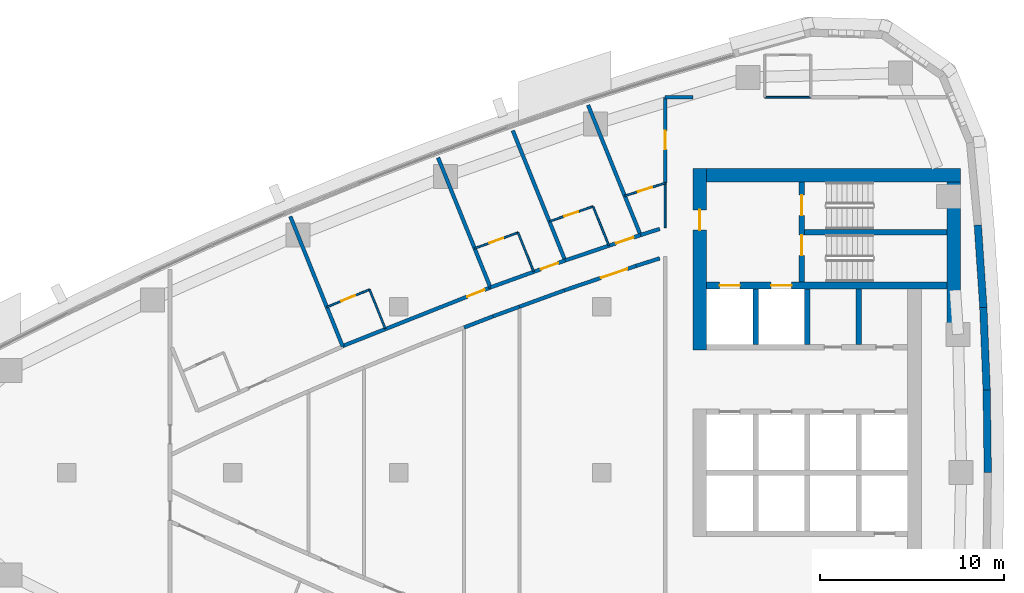
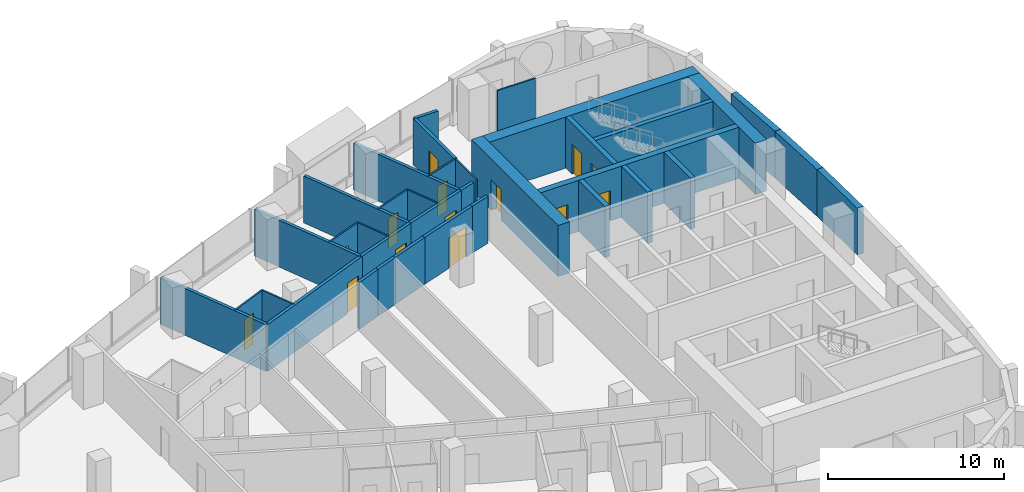
# One storey, part 12 of 17: 36 walls, 14 doors, 14 openings.
"""IFC4 building model written with IfcOpenShell, lengths in metres."""

from ifc_helpers import new_model, si_unit, direction, frame, frame_2d, origin, place, context, subcontext, project, spatial, polyline, rectangle, outline, extrude, material, layer, layer_set, type_object, element, fill, save


model = new_model("IFC4")

# Units and contexts
model_context = context("Model", 3, precision=1e-05, world=origin(), true_north=direction((0.0, 1.0)))
body_context = subcontext(model_context, "Body", "Model", "MODEL_VIEW")
ifc_project = project(units=[si_unit("LENGTHUNIT", "METRE"), si_unit("AREAUNIT", "SQUARE_METRE"), si_unit("VOLUMEUNIT", "CUBIC_METRE"), si_unit("PLANEANGLEUNIT", "RADIAN"), si_unit("MASSUNIT", "GRAM", prefix="KILO")], contexts=[model_context])

# Site, building, storey
site_placement = place(None, origin())
site = spatial("IfcSite", under=ifc_project, at=site_placement, CompositionType="ELEMENT")
building_placement = place(site_placement, origin())
building = spatial("IfcBuilding", under=site, at=building_placement, Name="Ostrand Prow Hotel Tower", CompositionType="ELEMENT")
storey_placement = place(building_placement, frame((0.0, 0.0, 179.050048828125)))
storey = spatial("IfcBuildingStorey", under=building, at=storey_placement, Name="L44", CompositionType="ELEMENT", Elevation=179.050048828125)

# Walls
ifc_material_1 = material(Name="Concrete C60/75", Category="concrete")
ifc_layer_1 = layer(ifc_material_1, 0.300048828125)
ifc_layer_set_1 = layer_set([ifc_layer_1], Name="Concrete C60/75")
wall_type_1 = type_object("IfcWallType", Name="Core wall 300 C60/75", PredefinedType="SHEAR", material=ifc_layer_set_1)
for number, where, z_axis, x_axis, name in (
    (1, (53.35009765625, 6.949951171875, 0.0), (0.0, 0.0, 1.0), (0.0, 1.0, 0.0), "Core wall PW-R1-NA"),
    (2, (56.14990234375, 6.949951171875, 0.0), (0.0, 0.0, 1.0), (0.0, 1.0, 0.0), "Core wall PW-R2-NA"),
    (3, (58.949951171875, 6.949951171875, 0.0), (0.0, 0.0, 1.0), (0.0, 1.0, 0.0), "Core wall PW-R3-NA"),
):
    element("IfcWall", number, at=place(storey_placement, frame(where, z_axis=z_axis, x_axis=x_axis)), inside=storey, type_object=wall_type_1, Name=name, PredefinedType="SHEAR", context=body_context, shape_type="SweptSolid", body=[
        extrude(rectangle(XDim=3.0, YDim=0.300048828125, at=frame_2d((1.5, 0.0))), origin(), (0.0, 0.0, 1.0), 3.550048828125),
    ])

# Wall, openings, doors
wall_1_placement = place(storey_placement, frame((55.85009765625, 10.35009765625, 0.0), z_axis=(0.0, 0.0, 1.0), x_axis=(0.0, 1.0, 0.0)))
wall_1 = element("IfcWall", 4, at=wall_1_placement, inside=storey, type_object=wall_type_1, Name="Core wall PW-VN", PredefinedType="SHEAR", context=body_context, shape_type="SweptSolid", body=[
    extrude(rectangle(XDim=5.39990234375, YDim=0.300048828125, at=frame_2d((2.699951171875, 0.0))), origin(), (0.0, 0.0, 1.0), 3.550048828125),
])
opening_1_placement = place(wall_1_placement, frame((1.429931640625, 0.0, 0.0)))
opening_1 = element("IfcOpeningElement", 5, at=opening_1_placement, cuts=wall_1, Name="Opening FD1", PredefinedType="OPENING", context=body_context, shape_type="SweptSolid", body=[
    extrude(rectangle(XDim=1.10009765625, YDim=2.10009765625, at=frame_2d((0.550048828125, 1.050048828125))), frame((0.0, 0.159912109375, 0.0), z_axis=(0.0, -1.0, 0.0), x_axis=(1.0, 0.0, 0.0)), (0.0, 0.0, 1.0), 0.320068359375),
])
opening_2_placement = place(wall_1_placement, frame((3.60009765625, 0.0, 0.0)))
opening_2 = element("IfcOpeningElement", 6, at=opening_2_placement, cuts=wall_1, Name="Opening FD1", PredefinedType="OPENING", context=body_context, shape_type="SweptSolid", body=[
    extrude(rectangle(XDim=1.10009765625, YDim=2.10009765625, at=frame_2d((0.550048828125, 1.050048828125))), frame((0.0, 0.159912109375, 0.0), z_axis=(0.0, -1.0, 0.0), x_axis=(1.0, 0.0, 0.0)), (0.0, 0.0, 1.0), 0.320068359375),
])
ifc_material_2 = material(Name="Steel fire door", Category="steel")
door_type_1 = type_object("IfcDoorType", Name="Fire door 1100 EI120", OperationType="SINGLE_SWING_RIGHT", PredefinedType="DOOR", material=ifc_material_2)
door_1_placement = place(opening_1_placement, origin())
door_1 = element("IfcDoor", 7, at=door_1_placement, inside=storey, type_object=door_type_1, Name="FIRE DOOR", OperationType="SINGLE_SWING_RIGHT", OverallHeight=2.10009765625, OverallWidth=1.10009765625, PredefinedType="DOOR", context=body_context, shape_type="SweptSolid", body=[
    extrude(rectangle(XDim=1.10009765625, YDim=2.10009765625, at=frame_2d((0.550048828125, 1.050048828125))), frame((0.0, 0.02490234375, 0.0), z_axis=(0.0, -1.0, 0.0), x_axis=(1.0, 0.0, 0.0)), (0.0, 0.0, 1.0), 0.050048828125),
])
fill(opening_1, door_1)
door_2_placement = place(opening_2_placement, origin())
door_2 = element("IfcDoor", 8, at=door_2_placement, inside=storey, type_object=door_type_1, Name="FIRE DOOR", OperationType="SINGLE_SWING_RIGHT", OverallHeight=2.10009765625, OverallWidth=1.10009765625, PredefinedType="DOOR", context=body_context, shape_type="SweptSolid", body=[
    extrude(rectangle(XDim=1.10009765625, YDim=2.10009765625, at=frame_2d((0.550048828125, 1.050048828125))), frame((0.0, 0.02490234375, 0.0), z_axis=(0.0, -1.0, 0.0), x_axis=(1.0, 0.0, 0.0)), (0.0, 0.0, 1.0), 0.050048828125),
])
fill(opening_2, door_2)

# Wall
wall_2_placement = place(storey_placement, frame((56.0, 13.050048828125, 0.0), z_axis=(0.0, 0.0, 1.0), x_axis=(1.0, 0.0, 0.0)))
element("IfcWall", 9, at=wall_2_placement, inside=storey, type_object=wall_type_1, Name="Core wall PW-ST13", PredefinedType="SHEAR", context=body_context, shape_type="SweptSolid", body=[
    extrude(rectangle(XDim=7.719970703125, YDim=0.300048828125, at=frame_2d((3.85986328125, 0.0))), origin(), (0.0, 0.0, 1.0), 3.550048828125),
])

# Wall, openings, doors
ifc_material_3 = material(Name="Concrete C60/75", Category="concrete")
ifc_layer_2 = layer(ifc_material_3, 0.39990234375)
ifc_layer_set_2 = layer_set([ifc_layer_2], Name="Concrete C60/75")
wall_type_2 = type_object("IfcWallType", Name="Core wall 400 C60/75", PredefinedType="SHEAR", material=ifc_layer_set_2)
wall_3_placement = place(storey_placement, frame((50.699951171875, 10.14990234375, 0.0), z_axis=(0.0, 0.0, 1.0), x_axis=(1.0, 0.0, 0.0)))
wall_3 = element("IfcWall", 10, at=wall_3_placement, inside=storey, type_object=wall_type_2, Name="Core wall PW-BN", PredefinedType="SHEAR", context=body_context, shape_type="SweptSolid", body=[
    extrude(rectangle(XDim=13.02001953125, YDim=0.39990234375, at=frame_2d((6.510009765625, 0.0))), origin(), (0.0, 0.0, 1.0), 3.550048828125),
])
opening_3_placement = place(wall_3_placement, frame((0.699951171875, 0.0, 0.0)))
opening_3 = element("IfcOpeningElement", 11, at=opening_3_placement, cuts=wall_3, Name="Opening LD", PredefinedType="OPENING", context=body_context, shape_type="SweptSolid", body=[
    extrude(rectangle(XDim=1.10009765625, YDim=2.10009765625, at=frame_2d((0.550048828125, 1.050048828125))), frame((0.0, 0.2099609375, 0.0), z_axis=(0.0, -1.0, 0.0), x_axis=(1.0, 0.0, 0.0)), (0.0, 0.0, 1.0), 0.419921875),
])
opening_4_placement = place(wall_3_placement, frame((3.5, 0.0, 0.0)))
opening_4 = element("IfcOpeningElement", 12, at=opening_4_placement, cuts=wall_3, Name="Opening LD", PredefinedType="OPENING", context=body_context, shape_type="SweptSolid", body=[
    extrude(rectangle(XDim=1.10009765625, YDim=2.10009765625, at=frame_2d((0.550048828125, 1.050048828125))), frame((0.0, 0.2099609375, 0.0), z_axis=(0.0, -1.0, 0.0), x_axis=(1.0, 0.0, 0.0)), (0.0, 0.0, 1.0), 0.419921875),
])
ifc_material_4 = material(Name="Stainless steel door", Category="steel")
door_type_2 = type_object("IfcDoorType", Name="Lift landing door 1100", OperationType="DOUBLE_DOOR_SLIDING", PredefinedType="DOOR", material=ifc_material_4)
door_3_placement = place(opening_3_placement, origin())
door_3 = element("IfcDoor", 13, at=door_3_placement, inside=storey, type_object=door_type_2, Name="LIFT LANDING DOOR", OperationType="DOUBLE_DOOR_SLIDING", OverallHeight=2.10009765625, OverallWidth=1.10009765625, PredefinedType="DOOR", context=body_context, shape_type="SweptSolid", body=[
    extrude(rectangle(XDim=1.10009765625, YDim=2.10009765625, at=frame_2d((0.550048828125, 1.050048828125))), frame((0.0, 0.02490234375, 0.0), z_axis=(0.0, -1.0, 0.0), x_axis=(1.0, 0.0, 0.0)), (0.0, 0.0, 1.0), 0.050048828125),
])
fill(opening_3, door_3)
door_4_placement = place(opening_4_placement, origin())
door_4 = element("IfcDoor", 14, at=door_4_placement, inside=storey, type_object=door_type_2, Name="LIFT LANDING DOOR", OperationType="DOUBLE_DOOR_SLIDING", OverallHeight=2.10009765625, OverallWidth=1.10009765625, PredefinedType="DOOR", context=body_context, shape_type="SweptSolid", body=[
    extrude(rectangle(XDim=1.10009765625, YDim=2.10009765625, at=frame_2d((0.550048828125, 1.050048828125))), frame((0.0, 0.02490234375, 0.0), z_axis=(0.0, -1.0, 0.0), x_axis=(1.0, 0.0, 0.0)), (0.0, 0.0, 1.0), 0.050048828125),
])
fill(opening_4, door_4)

# Wall, opening, door
ifc_material_5 = material(Name="Concrete C60/75", Category="concrete")
ifc_layer_3 = layer(ifc_material_5, 0.75)
ifc_layer_set_3 = layer_set([ifc_layer_3], Name="Concrete C60/75")
wall_type_3 = type_object("IfcWallType", Name="Core wall 750 C60/75", PredefinedType="SHEAR", material=ifc_layer_set_3)
wall_4_placement = place(storey_placement, frame((50.324951171875, 6.64990234375, 0.0), z_axis=(0.0, 0.0, 1.0), x_axis=(0.0, 1.0, 0.0)))
wall_4 = element("IfcWall", 15, at=wall_4_placement, inside=storey, type_object=wall_type_3, Name="Core wall CW-W-N", PredefinedType="SHEAR", context=body_context, shape_type="SweptSolid", body=[
    extrude(rectangle(XDim=9.85009765625, YDim=0.75, at=frame_2d((4.925048828125, 0.0))), origin(), (0.0, 0.0, 1.0), 3.550048828125),
])
opening_5_placement = place(wall_4_placement, frame((6.5, 0.0, 0.0)))
opening_5 = element("IfcOpeningElement", 16, at=opening_5_placement, cuts=wall_4, Name="Opening FD1", PredefinedType="OPENING", context=body_context, shape_type="SweptSolid", body=[
    extrude(rectangle(XDim=1.10009765625, YDim=2.10009765625, at=frame_2d((0.550048828125, 1.050048828125))), frame((0.0, 0.385009765625, 0.0), z_axis=(0.0, -1.0, 0.0), x_axis=(1.0, 0.0, 0.0)), (0.0, 0.0, 1.0), 0.77001953125),
])
door_5_placement = place(opening_5_placement, origin())
door_5 = element("IfcDoor", 17, at=door_5_placement, inside=storey, type_object=door_type_1, Name="FIRE DOOR", OperationType="SINGLE_SWING_RIGHT", OverallHeight=2.10009765625, OverallWidth=1.10009765625, PredefinedType="DOOR", context=body_context, shape_type="SweptSolid", body=[
    extrude(rectangle(XDim=1.10009765625, YDim=2.10009765625, at=frame_2d((0.550048828125, 1.050048828125))), frame((0.0, 0.02490234375, 0.0), z_axis=(0.0, -1.0, 0.0), x_axis=(1.0, 0.0, 0.0)), (0.0, 0.0, 1.0), 0.050048828125),
])
fill(opening_5, door_5)

# Walls
wall_5_placement = place(storey_placement, frame((50.699951171875, 16.125, 0.0), z_axis=(0.0, 0.0, 1.0), x_axis=(1.0, 0.0, 0.0)))
element("IfcWall", 18, at=wall_5_placement, inside=storey, type_object=wall_type_3, Name="Core wall CW-N", PredefinedType="SHEAR", context=body_context, shape_type="SweptSolid", body=[
    extrude(rectangle(XDim=13.77001953125, YDim=0.75, at=frame_2d((6.885009765625, 0.0))), origin(), (0.0, 0.0, 1.0), 3.550048828125),
])
wall_6_placement = place(storey_placement, frame((64.094970703125, 8.09912109375, 0.0), z_axis=(0.0, 0.0, 1.0), x_axis=(0.0, 1.0, 0.0)))
element("IfcWall", 19, at=wall_6_placement, inside=storey, type_object=wall_type_3, Name="Core wall CW-E-N", PredefinedType="SHEAR", context=body_context, shape_type="SweptSolid", body=[
    extrude(rectangle(XDim=7.65087890625, YDim=0.75, at=frame_2d((3.825439453125, 0.0))), origin(), (0.0, 0.0, 1.0), 3.550048828125),
])

# Wall, opening, door
ifc_material_6 = material(Name="Plasterboard partition")
ifc_layer_4 = layer(ifc_material_6, 0.10009765625)
ifc_layer_set_4 = layer_set([ifc_layer_4], Name="Plasterboard partition")
wall_type_4 = type_object("IfcWallType", Name="Partition 100 bathroom wall", PredefinedType="PARTITIONING", material=ifc_layer_set_4)
wall_7_placement = place(storey_placement, frame((30.10546875, 8.98095703125, 0.0), z_axis=(0.0, 0.0, 1.0), x_axis=(0.92519499486, 0.379492057212, 0.0)))
wall_7 = element("IfcWall", 20, at=wall_7_placement, inside=storey, type_object=wall_type_4, Name="BATHROOM WALL", PredefinedType="PARTITIONING", context=body_context, shape_type="SweptSolid", body=[
    extrude(rectangle(XDim=2.5, YDim=0.10009765625, at=frame_2d((1.25, 0.0))), origin(), (0.0, 0.0, 1.0), 3.25),
])
opening_6_placement = place(wall_7_placement, frame((0.85009765625, 0.0, 0.0)))
opening_6 = element("IfcOpeningElement", 21, at=opening_6_placement, cuts=wall_7, Name="Opening D2", PredefinedType="OPENING", context=body_context, shape_type="SweptSolid", body=[
    extrude(rectangle(XDim=0.800048828125, YDim=2.10009765625, at=frame_2d((0.39990234375, 1.050048828125))), frame((0.0, 0.06005859375, 0.0), z_axis=(0.0, -1.0, 0.0), x_axis=(1.0, 0.0, 0.0)), (0.0, 0.0, 1.0), 0.1201171875),
])
ifc_material_7 = material(Name="Timber door leaf", Category="wood")
door_type_3 = type_object("IfcDoorType", Name="Bathroom door 800", OperationType="SINGLE_SWING_LEFT", PredefinedType="DOOR", material=ifc_material_7)
door_6_placement = place(opening_6_placement, origin())
door_6 = element("IfcDoor", 22, at=door_6_placement, inside=storey, type_object=door_type_3, Name="DOOR", OperationType="SINGLE_SWING_LEFT", OverallHeight=2.10009765625, OverallWidth=0.800048828125, PredefinedType="DOOR", context=body_context, shape_type="SweptSolid", body=[
    extrude(rectangle(XDim=0.800048828125, YDim=2.10009765625, at=frame_2d((0.39990234375, 1.050048828125))), frame((0.0, 0.02490234375, 0.0), z_axis=(0.0, -1.0, 0.0), x_axis=(1.0, 0.0, 0.0)), (0.0, 0.0, 1.0), 0.050048828125),
])
fill(opening_6, door_6)

# Wall
wall_8_placement = place(storey_placement, frame((32.41845703125, 9.9296875, 0.0), z_axis=(0.0, 0.0, 1.0), x_axis=(0.373847853912, -0.927490044219, 0.0)))
element("IfcWall", 23, at=wall_8_placement, inside=storey, type_object=wall_type_4, Name="BATHROOM WALL", PredefinedType="PARTITIONING", context=body_context, shape_type="SweptSolid", body=[
    extrude(rectangle(XDim=2.277099609375, YDim=0.10009765625, at=frame_2d((1.138671875, 0.0))), origin(), (0.0, 0.0, 1.0), 3.25),
])

# Wall, opening, door
wall_9_placement = place(storey_placement, frame((38.119384765625, 12.160888671875, 0.0), z_axis=(0.0, 0.0, 1.0), x_axis=(0.939744972593, 0.341876273652, 0.0)))
wall_9 = element("IfcWall", 24, at=wall_9_placement, inside=storey, type_object=wall_type_4, Name="BATHROOM WALL", PredefinedType="PARTITIONING", context=body_context, shape_type="SweptSolid", body=[
    extrude(rectangle(XDim=2.50146484375, YDim=0.10009765625, at=frame_2d((1.250732421875, 0.0))), origin(), (0.0, 0.0, 1.0), 3.25),
])
opening_7_placement = place(wall_9_placement, frame((0.85009765625, 0.0, 0.0)))
opening_7 = element("IfcOpeningElement", 25, at=opening_7_placement, cuts=wall_9, Name="Opening D2", PredefinedType="OPENING", context=body_context, shape_type="SweptSolid", body=[
    extrude(rectangle(XDim=0.800048828125, YDim=2.10009765625, at=frame_2d((0.39990234375, 1.050048828125))), frame((0.0, 0.06005859375, 0.0), z_axis=(0.0, -1.0, 0.0), x_axis=(1.0, 0.0, 0.0)), (0.0, 0.0, 1.0), 0.1201171875),
])
door_7_placement = place(opening_7_placement, origin())
door_7 = element("IfcDoor", 26, at=door_7_placement, inside=storey, type_object=door_type_3, Name="DOOR", OperationType="SINGLE_SWING_LEFT", OverallHeight=2.10009765625, OverallWidth=0.800048828125, PredefinedType="DOOR", context=body_context, shape_type="SweptSolid", body=[
    extrude(rectangle(XDim=0.800048828125, YDim=2.10009765625, at=frame_2d((0.39990234375, 1.050048828125))), frame((0.0, 0.02490234375, 0.0), z_axis=(0.0, -1.0, 0.0), x_axis=(1.0, 0.0, 0.0)), (0.0, 0.0, 1.0), 0.050048828125),
])
fill(opening_7, door_7)

# Wall
wall_10_placement = place(storey_placement, frame((40.47021484375, 13.01611328125, 0.0), z_axis=(0.0, 0.0, 1.0), x_axis=(0.373846436826, -0.927490615409, 0.0)))
element("IfcWall", 27, at=wall_10_placement, inside=storey, type_object=wall_type_4, Name="BATHROOM WALL", PredefinedType="PARTITIONING", context=body_context, shape_type="SweptSolid", body=[
    extrude(rectangle(XDim=2.278564453125, YDim=0.10009765625, at=frame_2d((1.13916015625, 0.0))), origin(), (0.0, 0.0, 1.0), 3.25),
])

# Wall, opening, door
wall_11_placement = place(storey_placement, frame((42.17236328125, 13.625, 0.0), z_axis=(0.0, 0.0, 1.0), x_axis=(0.946406575113, 0.322977699822, 0.0)))
wall_11 = element("IfcWall", 28, at=wall_11_placement, inside=storey, type_object=wall_type_4, Name="BATHROOM WALL", PredefinedType="PARTITIONING", context=body_context, shape_type="SweptSolid", body=[
    extrude(rectangle(XDim=2.503662109375, YDim=0.10009765625, at=frame_2d((1.251953125, 0.0))), origin(), (0.0, 0.0, 1.0), 3.25),
])
opening_8_placement = place(wall_11_placement, frame((0.85009765625, 0.0, 0.0)))
opening_8 = element("IfcOpeningElement", 29, at=opening_8_placement, cuts=wall_11, Name="Opening D2", PredefinedType="OPENING", context=body_context, shape_type="SweptSolid", body=[
    extrude(rectangle(XDim=0.800048828125, YDim=2.10009765625, at=frame_2d((0.39990234375, 1.050048828125))), frame((0.0, 0.06005859375, 0.0), z_axis=(0.0, -1.0, 0.0), x_axis=(1.0, 0.0, 0.0)), (0.0, 0.0, 1.0), 0.1201171875),
])
door_8_placement = place(opening_8_placement, origin())
door_8 = element("IfcDoor", 30, at=door_8_placement, inside=storey, type_object=door_type_3, Name="DOOR", OperationType="SINGLE_SWING_LEFT", OverallHeight=2.10009765625, OverallWidth=0.800048828125, PredefinedType="DOOR", context=body_context, shape_type="SweptSolid", body=[
    extrude(rectangle(XDim=0.800048828125, YDim=2.10009765625, at=frame_2d((0.39990234375, 1.050048828125))), frame((0.0, 0.02490234375, 0.0), z_axis=(0.0, -1.0, 0.0), x_axis=(1.0, 0.0, 0.0)), (0.0, 0.0, 1.0), 0.050048828125),
])
fill(opening_8, door_8)

# Wall
wall_12_placement = place(storey_placement, frame((44.541748046875, 14.43359375, 0.0), z_axis=(0.0, 0.0, 1.0), x_axis=(0.373917841166, -0.927461831052, 0.0)))
element("IfcWall", 31, at=wall_12_placement, inside=storey, type_object=wall_type_4, Name="BATHROOM WALL", PredefinedType="PARTITIONING", context=body_context, shape_type="SweptSolid", body=[
    extrude(rectangle(XDim=2.28076171875, YDim=0.10009765625, at=frame_2d((1.140380859375, 0.0))), origin(), (0.0, 0.0, 1.0), 3.25),
])

# Wall, opening, door
wall_13_placement = place(storey_placement, frame((46.258544921875, 15.006591796875, 0.0), z_axis=(0.0, 0.0, 1.0), x_axis=(0.952731222045, 0.303814447552, 0.0)))
wall_13 = element("IfcWall", 32, at=wall_13_placement, inside=storey, type_object=wall_type_4, Name="BATHROOM WALL", PredefinedType="PARTITIONING", context=body_context, shape_type="SweptSolid", body=[
    extrude(rectangle(XDim=2.276611328125, YDim=0.10009765625, at=frame_2d((1.13818359375, 0.0))), origin(), (0.0, 0.0, 1.0), 3.25),
])
opening_9_placement = place(wall_13_placement, frame((0.75, 0.0, 0.0)))
opening_9 = element("IfcOpeningElement", 33, at=opening_9_placement, cuts=wall_13, Name="Opening D2", PredefinedType="OPENING", context=body_context, shape_type="SweptSolid", body=[
    extrude(rectangle(XDim=0.800048828125, YDim=2.10009765625, at=frame_2d((0.39990234375, 1.050048828125))), frame((0.0, 0.06005859375, 0.0), z_axis=(0.0, -1.0, 0.0), x_axis=(1.0, 0.0, 0.0)), (0.0, 0.0, 1.0), 0.1201171875),
])
door_9_placement = place(opening_9_placement, origin())
door_9 = element("IfcDoor", 34, at=door_9_placement, inside=storey, type_object=door_type_3, Name="DOOR", OperationType="SINGLE_SWING_LEFT", OverallHeight=2.10009765625, OverallWidth=0.800048828125, PredefinedType="DOOR", context=body_context, shape_type="SweptSolid", body=[
    extrude(rectangle(XDim=0.800048828125, YDim=2.10009765625, at=frame_2d((0.39990234375, 1.050048828125))), frame((0.0, 0.02490234375, 0.0), z_axis=(0.0, -1.0, 0.0), x_axis=(1.0, 0.0, 0.0)), (0.0, 0.0, 1.0), 0.050048828125),
])
fill(opening_9, door_9)

# Walls
wall_14_placement = place(storey_placement, frame((56.35009765625, 20.35498046875, 0.0), z_axis=(0.0, 0.0, 1.0), x_axis=(-1.0, 0.0, 0.0)))
element("IfcWall", 35, at=wall_14_placement, inside=storey, type_object=wall_type_4, Name="BATHROOM WALL", PredefinedType="PARTITIONING", context=body_context, shape_type="SweptSolid", body=[
    extrude(rectangle(XDim=2.5, YDim=0.10009765625, at=frame_2d((1.25, 0.0))), origin(), (0.0, 0.0, 1.0), 3.25),
])
wall_15_placement = place(storey_placement, frame((48.445068359375, 15.72119140625, 0.0), z_axis=(0.0, 0.0, 1.0), x_axis=(0.0, -1.0, 0.0)))
element("IfcWall", 36, at=wall_15_placement, inside=storey, type_object=wall_type_4, Name="BATHROOM WALL", PredefinedType="PARTITIONING", context=body_context, shape_type="SweptSolid", body=[
    extrude(rectangle(XDim=2.42626953125, YDim=0.10009765625, at=frame_2d((1.213134765625, 0.0))), origin(), (0.0, 0.0, 1.0), 3.25),
])

# Wall, opening, door
ifc_material_8 = material(Name="Plasterboard partition")
ifc_layer_5 = layer(ifc_material_8, 0.199951171875)
ifc_layer_set_5 = layer_set([ifc_layer_5], Name="Plasterboard partition")
wall_type_5 = type_object("IfcWallType", Name="Partition 200 corridor wall", PredefinedType="PARTITIONING", material=ifc_layer_set_5)
wall_16_placement = place(storey_placement, frame((38.972412109375, 10.044921875, 0.0), z_axis=(0.0, 0.0, 1.0), x_axis=(-0.929554647243, -0.368684360651, 0.0)))
wall_16 = element("IfcWall", 37, at=wall_16_placement, inside=storey, type_object=wall_type_5, Name="CORRIDOR WALL", PredefinedType="PARTITIONING", context=body_context, shape_type="SweptSolid", body=[
    extrude(rectangle(XDim=8.621826171875, YDim=0.199951171875, at=frame_2d((4.31103515625, 0.0))), origin(), (0.0, 0.0, 1.0), 3.25),
])
opening_10_placement = place(wall_16_placement, frame((0.35009765625, 0.0, 0.0)))
opening_10 = element("IfcOpeningElement", 38, at=opening_10_placement, cuts=wall_16, Name="Opening D1R", PredefinedType="OPENING", context=body_context, shape_type="SweptSolid", body=[
    extrude(rectangle(XDim=1.0, YDim=2.10009765625, at=frame_2d((0.5, 1.050048828125))), frame((0.0, 0.10986328125, 0.0), z_axis=(0.0, -1.0, 0.0), x_axis=(1.0, 0.0, 0.0)), (0.0, 0.0, 1.0), 0.219970703125),
])
ifc_material_9 = material(Name="Timber door leaf", Category="wood")
door_type_4 = type_object("IfcDoorType", Name="Guest room door 1000 right", OperationType="SINGLE_SWING_RIGHT", PredefinedType="DOOR", material=ifc_material_9)
door_10_placement = place(opening_10_placement, origin())
door_10 = element("IfcDoor", 39, at=door_10_placement, inside=storey, type_object=door_type_4, Name="DOOR", OperationType="SINGLE_SWING_RIGHT", OverallHeight=2.10009765625, OverallWidth=1.0, PredefinedType="DOOR", context=body_context, shape_type="SweptSolid", body=[
    extrude(rectangle(XDim=1.0, YDim=2.10009765625, at=frame_2d((0.5, 1.050048828125))), frame((0.0, 0.02490234375, 0.0), z_axis=(0.0, -1.0, 0.0), x_axis=(1.0, 0.0, 0.0)), (0.0, 0.0, 1.0), 0.050048828125),
])
fill(opening_10, door_10)

wall_17_placement = place(storey_placement, frame((43.02587890625, 11.50732421875, 0.0), z_axis=(0.0, 0.0, 1.0), x_axis=(-0.940653905433, -0.339367397069, 0.0)))
wall_17 = element("IfcWall", 40, at=wall_17_placement, inside=storey, type_object=wall_type_5, Name="CORRIDOR WALL", PredefinedType="PARTITIONING", context=body_context, shape_type="SweptSolid", body=[
    extrude(rectangle(XDim=4.30908203125, YDim=0.199951171875, at=frame_2d((2.154541015625, 0.0))), origin(), (0.0, 0.0, 1.0), 3.25),
])
opening_11_placement = place(wall_17_placement, frame((0.39990234375, 0.0, 0.0)))
opening_11 = element("IfcOpeningElement", 41, at=opening_11_placement, cuts=wall_17, Name="Opening D1R", PredefinedType="OPENING", context=body_context, shape_type="SweptSolid", body=[
    extrude(rectangle(XDim=1.0, YDim=2.10009765625, at=frame_2d((0.5, 1.050048828125))), frame((0.0, 0.10986328125, 0.0), z_axis=(0.0, -1.0, 0.0), x_axis=(1.0, 0.0, 0.0)), (0.0, 0.0, 1.0), 0.219970703125),
])
door_11_placement = place(opening_11_placement, origin())
door_11 = element("IfcDoor", 42, at=door_11_placement, inside=storey, type_object=door_type_4, Name="DOOR", OperationType="SINGLE_SWING_RIGHT", OverallHeight=2.10009765625, OverallWidth=1.0, PredefinedType="DOOR", context=body_context, shape_type="SweptSolid", body=[
    extrude(rectangle(XDim=1.0, YDim=2.10009765625, at=frame_2d((0.5, 1.050048828125))), frame((0.0, 0.02490234375, 0.0), z_axis=(0.0, -1.0, 0.0), x_axis=(1.0, 0.0, 0.0)), (0.0, 0.0, 1.0), 0.050048828125),
])
fill(opening_11, door_11)

wall_18_placement = place(storey_placement, frame((47.11328125, 12.885986328125, 0.0), z_axis=(0.0, 0.0, 1.0), x_axis=(-0.947550995841, -0.319604615549, 0.0)))
wall_18 = element("IfcWall", 43, at=wall_18_placement, inside=storey, type_object=wall_type_5, Name="CORRIDOR WALL", PredefinedType="PARTITIONING", context=body_context, shape_type="SweptSolid", body=[
    extrude(rectangle(XDim=4.313720703125, YDim=0.199951171875, at=frame_2d((2.15673828125, 0.0))), origin(), (0.0, 0.0, 1.0), 3.25),
])
opening_12_placement = place(wall_18_placement, frame((0.39990234375, 0.0, 0.0)))
opening_12 = element("IfcOpeningElement", 44, at=opening_12_placement, cuts=wall_18, Name="Opening D1R", PredefinedType="OPENING", context=body_context, shape_type="SweptSolid", body=[
    extrude(rectangle(XDim=1.0, YDim=2.10009765625, at=frame_2d((0.5, 1.050048828125))), frame((0.0, 0.10986328125, 0.0), z_axis=(0.0, -1.0, 0.0), x_axis=(1.0, 0.0, 0.0)), (0.0, 0.0, 1.0), 0.219970703125),
])
door_12_placement = place(opening_12_placement, origin())
door_12 = element("IfcDoor", 45, at=door_12_placement, inside=storey, type_object=door_type_4, Name="DOOR", OperationType="SINGLE_SWING_RIGHT", OverallHeight=2.10009765625, OverallWidth=1.0, PredefinedType="DOOR", context=body_context, shape_type="SweptSolid", body=[
    extrude(rectangle(XDim=1.0, YDim=2.10009765625, at=frame_2d((0.5, 1.050048828125))), frame((0.0, 0.02490234375, 0.0), z_axis=(0.0, -1.0, 0.0), x_axis=(1.0, 0.0, 0.0)), (0.0, 0.0, 1.0), 0.050048828125),
])
fill(opening_12, door_12)

# Walls
wall_19_placement = place(storey_placement, frame((39.115478515625, 8.4794921875, 0.0), z_axis=(0.0, 0.0, 1.0), x_axis=(0.939741934926, 0.341884623435, 0.0)))
element("IfcWall", 46, at=wall_19_placement, inside=storey, type_object=wall_type_5, Name="CORRIDOR WALL", PredefinedType="PARTITIONING", context=body_context, shape_type="SweptSolid", body=[
    extrude(rectangle(XDim=1.523193359375, YDim=0.199951171875, at=frame_2d((0.76171875, 0.0))), origin(), (0.0, 0.0, 1.0), 3.25),
])
wall_20_placement = place(storey_placement, frame((37.546875, 7.872802734375, 0.0), z_axis=(0.0, 0.0, 1.0), x_axis=(0.932670528514, 0.360729379511, 0.0)))
element("IfcWall", 47, at=wall_20_placement, inside=storey, type_object=wall_type_5, Name="CORRIDOR WALL", PredefinedType="PARTITIONING", context=body_context, shape_type="SweptSolid", body=[
    extrude(rectangle(XDim=1.681884765625, YDim=0.199951171875, at=frame_2d((0.8408203125, 0.0))), origin(), (0.0, 0.0, 1.0), 3.25),
])

# Wall, opening, door
wall_21_placement = place(storey_placement, frame((42.984375, 9.88720703125, 0.0), z_axis=(0.0, 0.0, 1.0), x_axis=(0.946436071896, 0.322891253852, 0.0)))
wall_21 = element("IfcWall", 48, at=wall_21_placement, inside=storey, type_object=wall_type_5, Name="CORRIDOR WALL", PredefinedType="PARTITIONING", context=body_context, shape_type="SweptSolid", body=[
    extrude(rectangle(XDim=4.116943359375, YDim=0.199951171875, at=frame_2d((2.05859375, 0.0))), origin(), (0.0, 0.0, 1.0), 3.25),
])
opening_13_placement = place(wall_21_placement, frame((2.10009765625, 0.0, 0.0)))
opening_13 = element("IfcOpeningElement", 49, at=opening_13_placement, cuts=wall_21, Name="Opening D15", PredefinedType="OPENING", context=body_context, shape_type="SweptSolid", body=[
    extrude(rectangle(XDim=1.5, YDim=2.10009765625, at=frame_2d((0.75, 1.050048828125))), frame((0.0, 0.10986328125, 0.0), z_axis=(0.0, -1.0, 0.0), x_axis=(1.0, 0.0, 0.0)), (0.0, 0.0, 1.0), 0.219970703125),
])
ifc_material_10 = material(Name="Timber door leaf", Category="wood")
door_type_5 = type_object("IfcDoorType", Name="Double door 1500", OperationType="DOUBLE_DOOR_SINGLE_SWING", PredefinedType="DOOR", material=ifc_material_10)
door_13_placement = place(opening_13_placement, origin())
door_13 = element("IfcDoor", 50, at=door_13_placement, inside=storey, type_object=door_type_5, Name="DOOR", OperationType="DOUBLE_DOOR_SINGLE_SWING", OverallHeight=2.10009765625, OverallWidth=1.5, PredefinedType="DOOR", context=body_context, shape_type="SweptSolid", body=[
    extrude(rectangle(XDim=1.5, YDim=2.10009765625, at=frame_2d((0.75, 1.050048828125))), frame((0.0, 0.02490234375, 0.0), z_axis=(0.0, -1.0, 0.0), x_axis=(1.0, 0.0, 0.0)), (0.0, 0.0, 1.0), 0.050048828125),
])
fill(opening_13, door_13)

# Walls
wall_22_placement = place(storey_placement, frame((40.546875, 9.000244140625, 0.0), z_axis=(0.0, 0.0, 1.0), x_axis=(0.939719202565, 0.341947101655, 0.0)))
element("IfcWall", 51, at=wall_22_placement, inside=storey, type_object=wall_type_5, Name="CORRIDOR WALL", PredefinedType="PARTITIONING", context=body_context, shape_type="SweptSolid", body=[
    extrude(rectangle(XDim=2.59375, YDim=0.199951171875, at=frame_2d((1.296875, 0.0))), origin(), (0.0, 0.0, 1.0), 3.25),
])
wall_23_placement = place(storey_placement, frame((48.14990234375, 13.216552734375, 0.0), z_axis=(0.0, 0.0, 1.0), x_axis=(-0.952731090451, -0.303814860215, 0.0)))
element("IfcWall", 52, at=wall_23_placement, inside=storey, type_object=wall_type_5, Name="CORRIDOR WALL", PredefinedType="PARTITIONING", context=body_context, shape_type="SweptSolid", body=[
    extrude(rectangle(XDim=1.088134765625, YDim=0.199951171875, at=frame_2d((0.5439453125, 0.0))), origin(), (0.0, 0.0, 1.0), 3.25),
])
wall_24_placement = place(storey_placement, frame((46.880859375, 11.216552734375, 0.0), z_axis=(0.0, 0.0, 1.0), x_axis=(0.952761948983, 0.303718074157, 0.0)))
element("IfcWall", 53, at=wall_24_placement, inside=storey, type_object=wall_type_5, Name="CORRIDOR WALL", PredefinedType="PARTITIONING", context=body_context, shape_type="SweptSolid", body=[
    extrude(rectangle(XDim=1.33203125, YDim=0.199951171875, at=frame_2d((0.666015625, 0.0))), origin(), (0.0, 0.0, 1.0), 3.25),
])

# Wall, opening, door
wall_25_placement = place(storey_placement, frame((48.4453125, 20.3515625, 0.0), z_axis=(0.0, 0.0, 1.0), x_axis=(-5.2725931e-05, -0.99999999861, 0.0)))
wall_25 = element("IfcWall", 54, at=wall_25_placement, inside=storey, type_object=wall_type_5, Name="CORRIDOR WALL", PredefinedType="PARTITIONING", context=body_context, shape_type="SweptSolid", body=[
    extrude(rectangle(XDim=4.63037109375, YDim=0.199951171875, at=frame_2d((2.315185546875, 0.0))), origin(), (0.0, 0.0, 1.0), 3.25),
])
opening_14_placement = place(wall_25_placement, frame((1.81494140625, 0.0, 0.0)))
opening_14 = element("IfcOpeningElement", 55, at=opening_14_placement, cuts=wall_25, Name="Opening D1", PredefinedType="OPENING", context=body_context, shape_type="SweptSolid", body=[
    extrude(rectangle(XDim=1.0, YDim=2.10009765625, at=frame_2d((0.5, 1.050048828125))), frame((0.0, 0.10986328125, 0.0), z_axis=(0.0, -1.0, 0.0), x_axis=(1.0, 0.0, 0.0)), (0.0, 0.0, 1.0), 0.219970703125),
])
ifc_material_11 = material(Name="Timber door leaf", Category="wood")
door_type_6 = type_object("IfcDoorType", Name="Guest room door 1000", OperationType="SINGLE_SWING_LEFT", PredefinedType="DOOR", material=ifc_material_11)
door_14_placement = place(opening_14_placement, origin())
door_14 = element("IfcDoor", 56, at=door_14_placement, inside=storey, type_object=door_type_6, Name="DOOR", OperationType="SINGLE_SWING_LEFT", OverallHeight=2.10009765625, OverallWidth=1.0, PredefinedType="DOOR", context=body_context, shape_type="SweptSolid", body=[
    extrude(rectangle(XDim=1.0, YDim=2.10009765625, at=frame_2d((0.5, 1.050048828125))), frame((0.0, 0.02490234375, 0.0), z_axis=(0.0, -1.0, 0.0), x_axis=(1.0, 0.0, 0.0)), (0.0, 0.0, 1.0), 0.050048828125),
])
fill(opening_14, door_14)

# Walls
wall_26_placement = place(storey_placement, frame((49.945068359375, 20.35498046875, 0.0), z_axis=(0.0, 0.0, 1.0), x_axis=(-0.999997403051, -0.002279010849, 0.0)))
element("IfcWall", 57, at=wall_26_placement, inside=storey, type_object=wall_type_5, Name="CORRIDOR WALL", PredefinedType="PARTITIONING", context=body_context, shape_type="SweptSolid", body=[
    extrude(rectangle(XDim=1.499755859375, YDim=0.199951171875, at=frame_2d((0.75, 0.0))), origin(), (0.0, 0.0, 1.0), 3.25),
])
ifc_material_12 = material(Name="Plasterboard partition")
ifc_layer_6 = layer(ifc_material_12, 0.199951171875)
ifc_layer_set_6 = layer_set([ifc_layer_6], Name="Plasterboard partition")
wall_type_6 = type_object("IfcWallType", Name="Partition 200 key partition", PredefinedType="PARTITIONING", material=ifc_layer_set_6)
wall_27_placement = place(storey_placement, frame((30.96533203125, 6.84765625, 0.0), z_axis=(0.0, 0.0, 1.0), x_axis=(-0.373876084216, 0.927478664796, 0.0)))
element("IfcWall", 58, at=wall_27_placement, inside=storey, type_object=wall_type_6, Name="KEY PARTITION", PredefinedType="PARTITIONING", context=body_context, shape_type="SweptSolid", body=[
    extrude(rectangle(XDim=7.600341796875, YDim=0.199951171875, at=frame_2d((3.80029296875, 0.0))), origin(), (0.0, 0.0, 1.0), 3.25),
])
wall_28_placement = place(storey_placement, frame((38.979736328125, 10.0263671875, 0.0), z_axis=(0.0, 0.0, 1.0), x_axis=(-0.373863662938, 0.927483671843, 0.0)))
element("IfcWall", 59, at=wall_28_placement, inside=storey, type_object=wall_type_6, Name="KEY PARTITION", PredefinedType="PARTITIONING", context=body_context, shape_type="SweptSolid", body=[
    extrude(rectangle(XDim=7.6044921875, YDim=0.199951171875, at=frame_2d((3.80224609375, 0.0))), origin(), (0.0, 0.0, 1.0), 3.25),
])
wall_29_placement = place(storey_placement, frame((43.033447265625, 11.48876953125, 0.0), z_axis=(0.0, 0.0, 1.0), x_axis=(-0.373877998371, 0.927477893178, 0.0)))
element("IfcWall", 60, at=wall_29_placement, inside=storey, type_object=wall_type_6, Name="KEY PARTITION", PredefinedType="PARTITIONING", context=body_context, shape_type="SweptSolid", body=[
    extrude(rectangle(XDim=7.611328125, YDim=0.199951171875, at=frame_2d((3.8056640625, 0.0))), origin(), (0.0, 0.0, 1.0), 3.25),
])
wall_30_placement = place(storey_placement, frame((47.120849609375, 12.867431640625, 0.0), z_axis=(0.0, 0.0, 1.0), x_axis=(-0.373907892596, 0.92746584188, 0.0)))
element("IfcWall", 61, at=wall_30_placement, inside=storey, type_object=wall_type_6, Name="KEY PARTITION", PredefinedType="PARTITIONING", context=body_context, shape_type="SweptSolid", body=[
    extrude(rectangle(XDim=7.62109375, YDim=0.199951171875, at=frame_2d((3.810546875, 0.0))), origin(), (0.0, 0.0, 1.0), 3.25),
])
ifc_material_13 = material(Name="Precast concrete C40/50", Category="concrete")
ifc_layer_7 = layer(ifc_material_13, 0.39990234375)
ifc_layer_set_7 = layer_set([ifc_layer_7], Name="Precast concrete C40/50")
wall_type_7 = type_object("IfcWallType", Name="Stone-faced precast wall 400 mm", PredefinedType="NOTDEFINED", material=ifc_layer_set_7)
for number, where, z_axis, x_axis, name in (
    (62, (65.940185546875, 0.0, 0.0), (0.0, 0.0, 1.0), (-0.013348854104, 0.999910900078, 0.0), "Stone-faced wall back 9"),
    (63, (65.88037109375, 4.48046875, 0.0), (0.0, 0.0, 1.0), (-0.040155165338, 0.999193456092, 0.0), "Stone-faced wall back 10"),
    (64, (65.700439453125, 8.957763671875, 0.0), (0.0, 0.0, 1.0), (-0.066905935948, 0.997759287471, 0.0), "Stone-faced wall back 11"),
):
    element("IfcWall", number, at=place(storey_placement, frame(where, z_axis=z_axis, x_axis=x_axis)), inside=storey, type_object=wall_type_7, Name=name, PredefinedType="NOTDEFINED", context=body_context, shape_type="SweptSolid", body=[
        extrude(outline(polyline([(-0.002685546875, -0.199951171875), (4.483642578125, -0.199951171875), (4.478271484375, 0.199951171875), (0.002685546875, 0.199951171875), (-0.002685546875, -0.199951171875)])), origin(), (0.0, 0.0, 1.0), 3.25),
    ])

save(model, "model.ifc")
